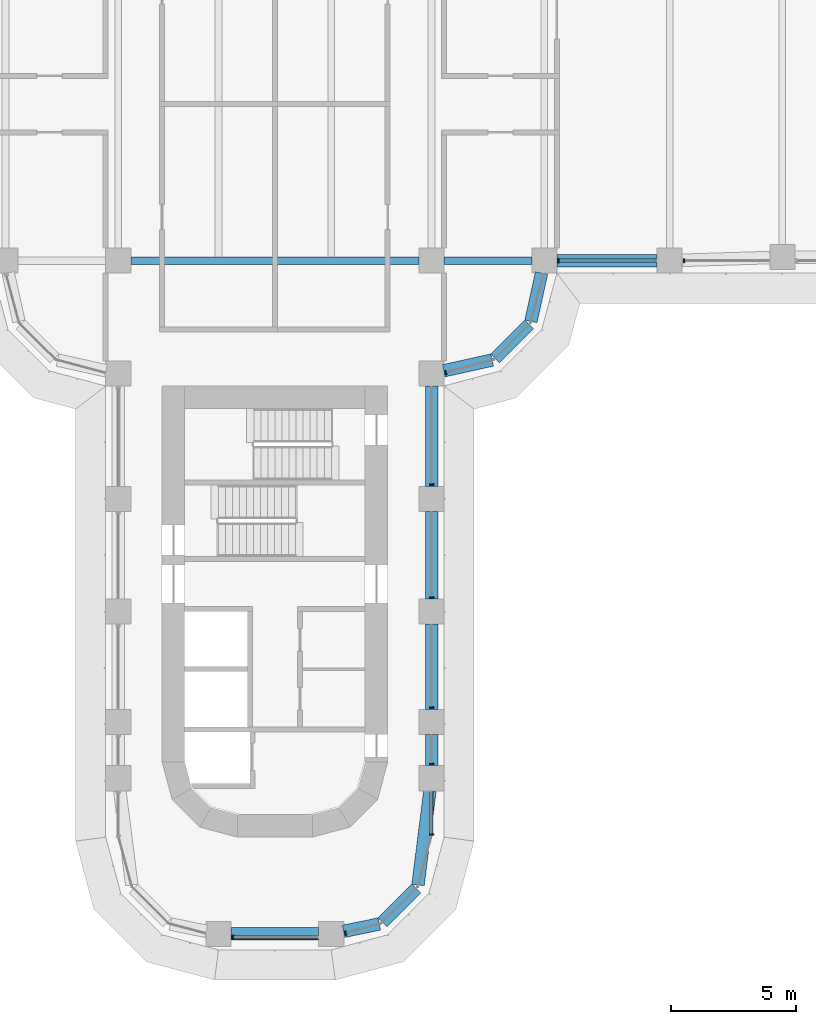
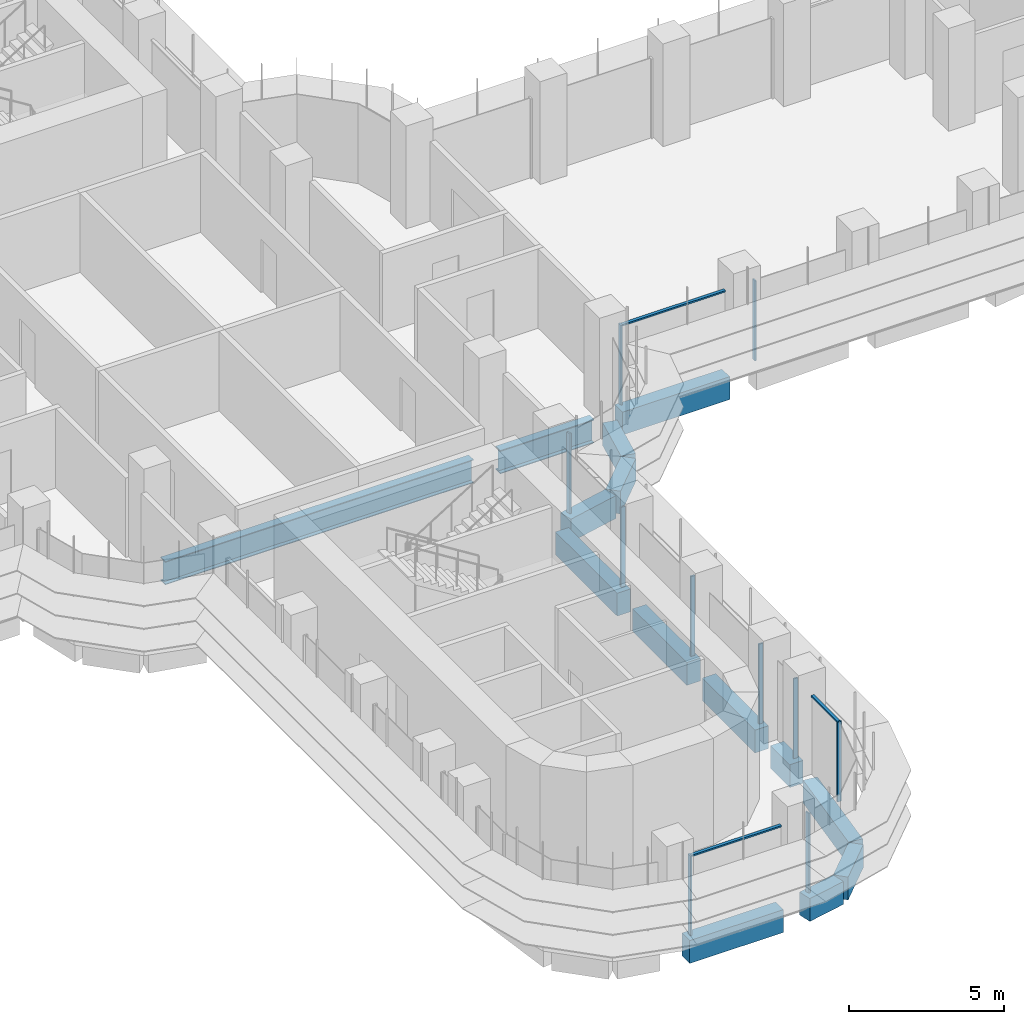
# One storey, part 4 of 23: 14 beams, 13 members, 5 elements without a shape of their own.
"""IFC4 building model written with IfcOpenShell, lengths in metres."""

from ifc_helpers import new_model, si_unit, direction, frame, origin, origin_2d, place, context, subcontext, project, spatial, polyline, rectangle, i_section, outline, extrude, source, transform, mapped, material, material_profile, profile_set, type_object, element, aggregate, save


model = new_model("IFC4")

# Units and contexts
model_context = context("Model", 3, precision=1e-05, world=origin(), true_north=direction((0.0, 1.0)))
body_context = subcontext(model_context, "Body", "Model", "MODEL_VIEW")
ifc_project = project(units=[si_unit("LENGTHUNIT", "METRE"), si_unit("AREAUNIT", "SQUARE_METRE"), si_unit("VOLUMEUNIT", "CUBIC_METRE"), si_unit("PLANEANGLEUNIT", "RADIAN"), si_unit("MASSUNIT", "GRAM", prefix="KILO")], contexts=[model_context])

# Site, building, storey
site_placement = place(None, origin())
site = spatial("IfcSite", under=ifc_project, at=site_placement, CompositionType="ELEMENT")
building_placement = place(site_placement, origin())
building = spatial("IfcBuilding", under=site, at=building_placement, Name="Zarbagh Exchange Tower", CompositionType="ELEMENT")
storey_placement = place(building_placement, frame((0.0, 0.0, 64.800048828125)))
storey = spatial("IfcBuildingStorey", under=building, at=storey_placement, Name="L14", CompositionType="ELEMENT", Elevation=64.800048828125)

# Beams
ifc_material_1 = material(Name="Steel ASTM A992 Gr 50", Category="steel")
ifc_material_profile_1 = material_profile(ifc_material_1, i_section(OverallWidth=0.3046875, OverallDepth=0.91943359375, WebThickness=0.017333984375, FlangeThickness=0.02783203125, at=origin_2d()), Name="W36X170")
ifc_profile_set_1 = profile_set([ifc_material_profile_1], Name="Steel ASTM A992 Gr 50")
beam_type_1 = type_object("IfcBeamType", Name="Floor girder W36X170", PredefinedType="BEAM", material=ifc_profile_set_1)
beam_1_placement = place(storey_placement, frame((-5.75, -6.25, -0.60986328125), z_axis=(1.0, 0.0, 0.0), x_axis=(0.0, 1.0, 0.0)))
element("IfcBeam", 1, at=beam_1_placement, inside=storey, type_object=beam_type_1, Name="Steel girder", PredefinedType="BEAM", context=body_context, shape_type="SweptSolid", body=[
    extrude(i_section(OverallWidth=0.3046875, OverallDepth=0.91943359375, WebThickness=0.017333984375, FlangeThickness=0.02783203125, at=origin_2d()), origin(), (0.0, 0.0, 1.0), 11.5),
])
beam_2_placement = place(storey_placement, frame((6.75, -6.25, -0.60986328125), z_axis=(1.0, 0.0, 0.0), x_axis=(0.0, 1.0, 0.0)))
element("IfcBeam", 2, at=beam_2_placement, inside=storey, type_object=beam_type_1, Name="Steel girder", PredefinedType="BEAM", context=body_context, shape_type="SweptSolid", body=[
    extrude(i_section(OverallWidth=0.3046875, OverallDepth=0.91943359375, WebThickness=0.017333984375, FlangeThickness=0.02783203125, at=origin_2d()), origin(), (0.0, 0.0, 1.0), 3.5),
])
ifc_material_2 = material(Name="Concrete C60/75", Category="concrete")
ifc_material_profile_2 = material_profile(ifc_material_2, rectangle(XDim=0.5, YDim=0.89990234375, at=origin_2d()), Name="RC spandrel beam 500 x 900 C60/75")
ifc_profile_set_2 = profile_set([ifc_material_profile_2], Name="Concrete C60/75")
beam_type_2 = type_object("IfcBeamType", Name="RC spandrel beam 500 x 900 C60/75", PredefinedType="SPANDREL", material=ifc_profile_set_2)
beam_3_placement = place(storey_placement, frame((15.25, -6.25, -0.60009765625), z_axis=(-1.0, 0.0, 0.0), x_axis=(0.0, -1.0, 0.0)))
element("IfcBeam", 3, at=beam_3_placement, inside=storey, type_object=beam_type_2, Name="RC spandrel beam", PredefinedType="SPANDREL", context=body_context, shape_type="SweptSolid", body=[
    extrude(rectangle(XDim=0.5, YDim=0.89990234375, at=origin_2d()), origin(), (0.0, 0.0, 1.0), 4.0),
])
beam_4_placement = place(storey_placement, frame((10.64208984375, -6.73828125, -0.60009765625), z_axis=(-0.216081063242, -0.976375426825, 0.0), x_axis=(0.976375426825, -0.216081063242, 0.0)))
element("IfcBeam", 4, at=beam_4_placement, inside=storey, type_object=beam_type_2, Name="RC spandrel beam", PredefinedType="SPANDREL", context=body_context, shape_type="SweptSolid", body=[
    extrude(rectangle(XDim=0.5, YDim=0.89990234375, at=origin_2d()), origin(), (0.0, 0.0, 1.0), 1.978271484375),
])
beam_5_placement = place(storey_placement, frame((10.147216796875, -8.792724609375, -0.60009765625), z_axis=(-0.707106781187, -0.707106781187, 0.0), x_axis=(0.707106781187, -0.707106781187, 0.0)))
element("IfcBeam", 5, at=beam_5_placement, inside=storey, type_object=beam_type_2, Name="RC spandrel beam", PredefinedType="SPANDREL", context=body_context, shape_type="SweptSolid", body=[
    extrude(rectangle(XDim=0.5, YDim=0.89990234375, at=origin_2d()), origin(), (0.0, 0.0, 1.0), 1.91552734375),
])
beam_6_placement = place(storey_placement, frame((8.669921875, -10.214599609375, -0.60009765625), z_axis=(-0.976375426825, -0.216081063242, 0.0), x_axis=(0.216081063242, -0.976375426825, 0.0)))
element("IfcBeam", 6, at=beam_6_placement, inside=storey, type_object=beam_type_2, Name="RC spandrel beam", PredefinedType="SPANDREL", context=body_context, shape_type="SweptSolid", body=[
    extrude(rectangle(XDim=0.5, YDim=0.89990234375, at=origin_2d()), origin(), (0.0, 0.0, 1.0), 1.978271484375),
])
beam_7_placement = place(storey_placement, frame((6.25, -11.25, -0.60009765625), z_axis=(0.0, -1.0, 0.0), x_axis=(1.0, 0.0, 0.0)))
element("IfcBeam", 7, at=beam_7_placement, inside=storey, type_object=beam_type_2, Name="RC spandrel beam", PredefinedType="SPANDREL", context=body_context, shape_type="SweptSolid", body=[
    extrude(rectangle(XDim=0.5, YDim=0.89990234375, at=origin_2d()), origin(), (0.0, 0.0, 1.0), 4.0),
])
beam_8_placement = place(storey_placement, frame((6.25, -16.25, -0.60009765625), z_axis=(0.0, -1.0, 0.0), x_axis=(1.0, 0.0, 0.0)))
element("IfcBeam", 8, at=beam_8_placement, inside=storey, type_object=beam_type_2, Name="RC spandrel beam", PredefinedType="SPANDREL", context=body_context, shape_type="SweptSolid", body=[
    extrude(rectangle(XDim=0.5, YDim=0.89990234375, at=origin_2d()), origin(), (0.0, 0.0, 1.0), 3.5),
])
beam_9_placement = place(storey_placement, frame((6.25, -20.75, -0.60009765625), z_axis=(0.0, -1.0, 0.0), x_axis=(1.0, 0.0, 0.0)))
element("IfcBeam", 9, at=beam_9_placement, inside=storey, type_object=beam_type_2, Name="RC spandrel beam", PredefinedType="SPANDREL", context=body_context, shape_type="SweptSolid", body=[
    extrude(rectangle(XDim=0.5, YDim=0.89990234375, at=origin_2d()), origin(), (0.0, 0.0, 1.0), 3.39990234375),
])
beam_10_placement = place(storey_placement, frame((6.25, -25.14990234375, -0.60009765625), z_axis=(0.0, -1.0, 0.0), x_axis=(1.0, 0.0, 0.0)))
element("IfcBeam", 10, at=beam_10_placement, inside=storey, type_object=beam_type_2, Name="RC spandrel beam", PredefinedType="SPANDREL", context=body_context, shape_type="SweptSolid", body=[
    extrude(rectangle(XDim=0.5, YDim=0.89990234375, at=origin_2d()), origin(), (0.0, 0.0, 1.0), 1.25),
])
beam_11_placement = place(storey_placement, frame((6.18701171875, -27.39599609375, -0.60009765625), z_axis=(-0.12591317752, -0.992041265133, 0.0), x_axis=(0.992041265133, -0.12591317752, 0.0)))
element("IfcBeam", 11, at=beam_11_placement, inside=storey, type_object=beam_type_2, Name="RC spandrel beam", PredefinedType="SPANDREL", context=body_context, shape_type="SweptSolid", body=[
    extrude(rectangle(XDim=0.5, YDim=0.89990234375, at=origin_2d()), origin(), (0.0, 0.0, 1.0), 3.790771484375),
])
beam_12_placement = place(storey_placement, frame((5.638427734375, -31.301513671875, -0.60009765625), z_axis=(-0.707042571718, -0.707170984825, 0.0), x_axis=(0.707170984825, -0.707042571718, 0.0)))
element("IfcBeam", 12, at=beam_12_placement, inside=storey, type_object=beam_type_2, Name="RC spandrel beam", PredefinedType="SPANDREL", context=body_context, shape_type="SweptSolid", body=[
    extrude(rectangle(XDim=0.5, YDim=0.89990234375, at=origin_2d()), origin(), (0.0, 0.0, 1.0), 1.901123046875),
])
beam_13_placement = place(storey_placement, frame((4.16796875, -32.714111328125, -0.60009765625), z_axis=(-0.9793713725, -0.202068589164, 0.0), x_axis=(0.202068589164, -0.9793713725, 0.0)))
element("IfcBeam", 13, at=beam_13_placement, inside=storey, type_object=beam_type_2, Name="RC spandrel beam", PredefinedType="SPANDREL", context=body_context, shape_type="SweptSolid", body=[
    extrude(rectangle(XDim=0.5, YDim=0.89990234375, at=origin_2d()), origin(), (0.0, 0.0, 1.0), 1.458251953125),
])
beam_14_placement = place(storey_placement, frame((1.75, -33.110107421875, -0.60009765625), z_axis=(-1.0, 0.0, 0.0), x_axis=(0.0, -1.0, 0.0)))
element("IfcBeam", 14, at=beam_14_placement, inside=storey, type_object=beam_type_2, Name="RC spandrel beam", PredefinedType="SPANDREL", context=body_context, shape_type="SweptSolid", body=[
    extrude(rectangle(XDim=0.5, YDim=0.89990234375, at=origin_2d()), origin(), (0.0, 0.0, 1.0), 3.5),
])

# Curtain wall, member
ifc_material_3 = material(Name="Anodised aluminium frame and glazing", Category="aluminium")
curtain_wall_type = type_object("IfcCurtainWallType", Name="CWA Ribbon glazing, lower zones", PredefinedType="NOTDEFINED", material=ifc_material_3)
curtain_wall_1_placement = place(storey_placement, origin())
curtain_wall_1 = element("IfcCurtainWall", 15, at=curtain_wall_1_placement, inside=storey, type_object=curtain_wall_type, Name="CWA01 curtain wall", PredefinedType="NOTDEFINED")
ifc_material_4 = material(Name="Anodised aluminium frame", Category="aluminium")
member_type_1 = type_object("IfcMemberType", Name="MUA Mullion, anodised aluminium frame", PredefinedType="MULLION", material=ifc_material_4)
shared_shape_1 = source(origin(), body_context, "Body", "SweptSolid", [
    extrude(outline(polyline([(0.0, -0.080078125), (0.06005859375, -0.080078125), (0.06005859375, 0.080078125), (0.0, 0.080078125), (0.0, -0.080078125)])), origin(), (0.0, 0.0, 1.0), 3.14990234375),
])
placement = place(storey_placement, origin())
member_1 = element("IfcMember", 16, at=placement, type_object=member_type_1, Name="CWA01 mullion 1.1", PredefinedType="MULLION", context=body_context, shape_type="MappedRepresentation", body=[
    mapped(shared_shape_1, transform((2.7900390625, -33.087646484375, 0.0), x_axis=(0.965924289636, 0.258824779902, 0.0), y_axis=(-0.258824779902, 0.965924289636, 0.0), z_axis=(0.0, 0.0, 1.0))),
])
aggregate(curtain_wall_1, [member_1])

# Curtain wall, members
curtain_wall_2_placement = place(storey_placement, origin())
curtain_wall_2 = element("IfcCurtainWall", 17, at=curtain_wall_2_placement, inside=storey, type_object=curtain_wall_type, Name="CWA04 curtain wall", PredefinedType="NOTDEFINED")
member_2 = element("IfcMember", 18, at=placement, type_object=member_type_1, Name="CWA04 mullion 1.1", PredefinedType="MULLION", context=body_context, shape_type="MappedRepresentation", body=[
    mapped(shared_shape_1, transform((6.25, -29.18408203125, 0.0), x_axis=(0.0, 1.0, 0.0), y_axis=(-1.0, 0.0, 0.0), z_axis=(0.0, 0.0, 1.0))),
])
member_3 = element("IfcMember", 19, at=placement, type_object=member_type_1, Name="CWA04 mullion 2.1", PredefinedType="MULLION", context=body_context, shape_type="MappedRepresentation", body=[
    mapped(shared_shape_1, transform((6.25, -26.35986328125, 0.0), x_axis=(0.0, 1.0, 0.0), y_axis=(-1.0, 0.0, 0.0), z_axis=(0.0, 0.0, 1.0))),
])
member_4 = element("IfcMember", 20, at=placement, type_object=member_type_1, Name="CWA04 mullion 3.1", PredefinedType="MULLION", context=body_context, shape_type="MappedRepresentation", body=[
    mapped(shared_shape_1, transform((6.25, -24.10986328125, 0.0), x_axis=(0.0, 1.0, 0.0), y_axis=(-1.0, 0.0, 0.0), z_axis=(0.0, 0.0, 1.0))),
])
member_5 = element("IfcMember", 21, at=placement, type_object=member_type_1, Name="CWA04 mullion 4.1", PredefinedType="MULLION", context=body_context, shape_type="MappedRepresentation", body=[
    mapped(shared_shape_1, transform((6.25, -19.7099609375, 0.0), x_axis=(0.0, 1.0, 0.0), y_axis=(-1.0, 0.0, 0.0), z_axis=(0.0, 0.0, 1.0))),
])
member_6 = element("IfcMember", 22, at=placement, type_object=member_type_1, Name="CWA04 mullion 5.1", PredefinedType="MULLION", context=body_context, shape_type="MappedRepresentation", body=[
    mapped(shared_shape_1, transform((6.25, -15.2099609375, 0.0), x_axis=(0.0, 1.0, 0.0), y_axis=(-1.0, 0.0, 0.0), z_axis=(0.0, 0.0, 1.0))),
])

# Curtain wall, member
curtain_wall_3_placement = place(storey_placement, origin())
curtain_wall_3 = element("IfcCurtainWall", 23, at=curtain_wall_3_placement, inside=storey, type_object=curtain_wall_type, Name="CWA05 curtain wall", PredefinedType="NOTDEFINED")
member_7 = element("IfcMember", 24, at=placement, type_object=member_type_1, Name="CWA05 mullion 1.1", PredefinedType="MULLION", context=body_context, shape_type="MappedRepresentation", body=[
    mapped(shared_shape_1, transform((6.7900390625, -10.7216796875, 0.0), x_axis=(0.965924289636, 0.258824779902, 0.0), y_axis=(-0.258824779902, 0.965924289636, 0.0), z_axis=(0.0, 0.0, 1.0))),
])
aggregate(curtain_wall_3, [member_7])

# Curtain wall, members
curtain_wall_4_placement = place(storey_placement, origin())
curtain_wall_4 = element("IfcCurtainWall", 25, at=curtain_wall_4_placement, inside=storey, type_object=curtain_wall_type, Name="CWA08 curtain wall", PredefinedType="NOTDEFINED")
member_8 = element("IfcMember", 26, at=placement, type_object=member_type_1, Name="CWA08 mullion 1.1", PredefinedType="MULLION", context=body_context, shape_type="MappedRepresentation", body=[
    mapped(shared_shape_1, transform((11.2900390625, -6.25, 0.0), x_axis=(1.0, 0.0, 0.0), y_axis=(0.0, 1.0, 0.0), z_axis=(0.0, 0.0, 1.0))),
])
member_9 = element("IfcMember", 27, at=placement, type_object=member_type_1, Name="CWA08 mullion 2.1", PredefinedType="MULLION", context=body_context, shape_type="MappedRepresentation", body=[
    mapped(shared_shape_1, transform((16.2900390625, -6.25, 0.0), x_axis=(1.0, 0.0, 0.0), y_axis=(0.0, 1.0, 0.0), z_axis=(0.0, 0.0, 1.0))),
])

# Curtain wall, member
curtain_wall_5_placement = place(storey_placement, origin())
curtain_wall_5 = element("IfcCurtainWall", 28, at=curtain_wall_5_placement, inside=storey, type_object=curtain_wall_type, Name="CWA48 curtain wall", PredefinedType="NOTDEFINED")
member_10 = element("IfcMember", 29, at=placement, type_object=member_type_1, Name="CWA48 mullion 1.1", PredefinedType="MULLION", context=body_context, shape_type="MappedRepresentation", body=[
    mapped(shared_shape_1, transform((-1.7099609375, -33.25, 0.0), x_axis=(1.0, 0.0, 0.0), y_axis=(0.0, 1.0, 0.0), z_axis=(0.0, 0.0, 1.0))),
])

# Member
member_type_2 = type_object("IfcMemberType", Name="TRA Transom, anodised aluminium frame", PredefinedType="USERDEFINED", material=ifc_material_4)
shared_shape_2 = source(origin(), body_context, "Body", "SweptSolid", [
    extrude(outline(polyline([(-0.06005859375, -0.06005859375), (0.0, -0.06005859375), (0.0, 0.06005859375), (-0.06005859375, 0.06005859375), (-0.06005859375, -0.06005859375)])), origin(), (0.0, 0.0, 1.0), 1.68408203125),
])
member_11 = element("IfcMember", 30, at=placement, type_object=member_type_2, Name="CWA04 transom 1.1", ObjectType="TRANSOM", PredefinedType="USERDEFINED", context=body_context, shape_type="MappedRepresentation", body=[
    mapped(shared_shape_2, transform((6.25, -29.124267578125, 3.14990234375), x_axis=(0.0, 0.0, 1.0), y_axis=(1.0, 0.0, 0.0), z_axis=(0.0, 1.0, 0.0))),
])

aggregate(curtain_wall_2, [member_2, member_11, member_3, member_4, member_5, member_6])

shared_shape_3 = source(origin(), body_context, "Body", "SweptSolid", [
    extrude(outline(polyline([(-0.06005859375, -0.06005859375), (0.0, -0.06005859375), (0.0, 0.06005859375), (-0.06005859375, 0.06005859375), (-0.06005859375, -0.06005859375)])), origin(), (0.0, 0.0, 1.0), 3.860107421875),
])
member_12 = element("IfcMember", 31, at=placement, type_object=member_type_2, Name="CWA08 transom 1.1", ObjectType="TRANSOM", PredefinedType="USERDEFINED", context=body_context, shape_type="MappedRepresentation", body=[
    mapped(shared_shape_3, transform((11.35009765625, -6.25, 3.14990234375), x_axis=(0.0, 0.0, 1.0), y_axis=(0.0, -1.0, 0.0), z_axis=(1.0, 0.0, 0.0))),
])

aggregate(curtain_wall_4, [member_8, member_12, member_9])

shared_shape_4 = source(origin(), body_context, "Body", "SweptSolid", [
    extrude(outline(polyline([(-0.06005859375, -0.06005859375), (0.0, -0.06005859375), (0.0, 0.06005859375), (-0.06005859375, 0.06005859375), (-0.06005859375, -0.06005859375)])), origin(), (0.0, 0.0, 1.0), 3.360107421875),
])
member_13 = element("IfcMember", 32, at=placement, type_object=member_type_2, Name="CWA48 transom 1.1", ObjectType="TRANSOM", PredefinedType="USERDEFINED", context=body_context, shape_type="MappedRepresentation", body=[
    mapped(shared_shape_4, transform((-1.64990234375, -33.25, 3.14990234375), x_axis=(0.0, 0.0, 1.0), y_axis=(0.0, -1.0, 0.0), z_axis=(1.0, 0.0, 0.0))),
])

aggregate(curtain_wall_5, [member_10, member_13])

save(model, "model.ifc")
